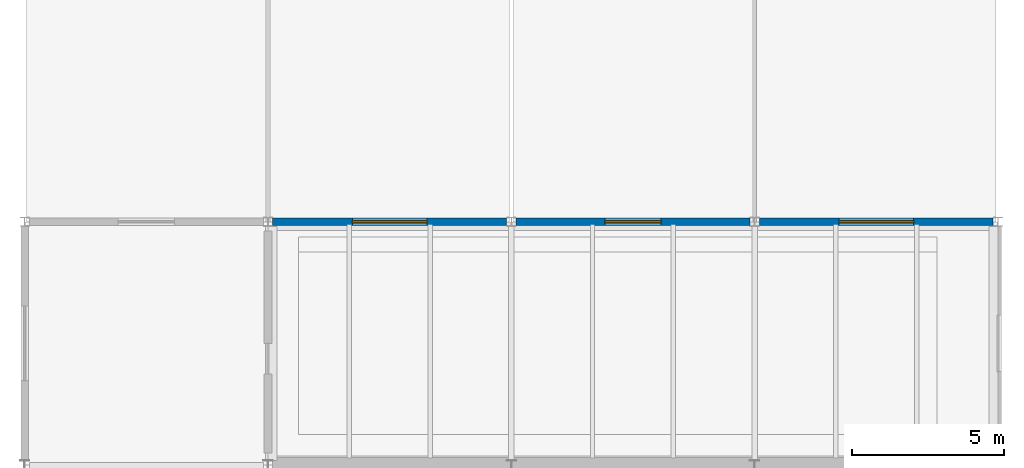
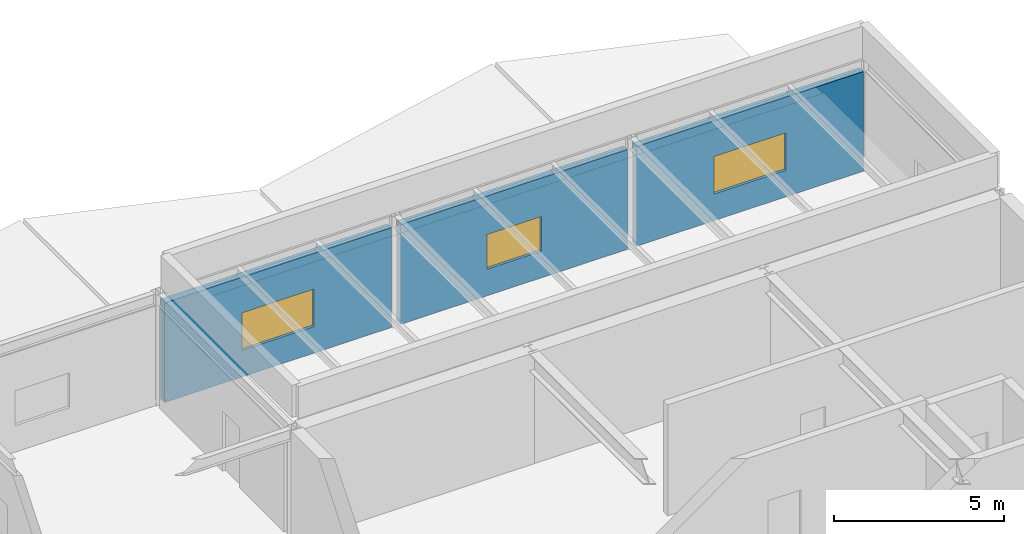
# One storey, part 6 of 7: 3 walls, 3 windows, 3 openings.
"""IFC4 building model written with IfcOpenShell, lengths in metres."""

from ifc_helpers import new_model, si_unit, direction, frame, frame_2d, origin, place, context, subcontext, project, spatial, rectangle, extrude, material, layer, layer_set, type_object, element, fill, save


model = new_model("IFC4")

# Units and contexts
model_context = context("Model", 3, precision=1e-05, world=origin(), true_north=direction((0.0, 1.0)))
body_context = subcontext(model_context, "Body", "Model", "MODEL_VIEW")
ifc_project = project(units=[si_unit("LENGTHUNIT", "METRE"), si_unit("AREAUNIT", "SQUARE_METRE"), si_unit("VOLUMEUNIT", "CUBIC_METRE"), si_unit("PLANEANGLEUNIT", "RADIAN"), si_unit("MASSUNIT", "GRAM", prefix="KILO")], contexts=[model_context])

# Site, building, storey
site_placement = place(None, origin())
site = spatial("IfcSite", under=ifc_project, at=site_placement, CompositionType="ELEMENT")
building_placement = place(site_placement, origin())
building = spatial("IfcBuilding", under=site, at=building_placement, Name="Varnela Railside Interchange", CompositionType="ELEMENT")
storey_placement = place(building_placement, frame((0.0, 0.0, 36.39990234375)))
storey = spatial("IfcBuildingStorey", under=building, at=storey_placement, Name="L08", CompositionType="ELEMENT", Elevation=36.39990234375)

# Wall, opening, window
ifc_material_1 = material(Name="Concrete C40 precast", Category="concrete")
ifc_layer = layer(ifc_material_1, 0.239990234375)
ifc_layer_set = layer_set([ifc_layer], Name="Concrete C40 precast")
wall_type = type_object("IfcWallType", Name="Plant Louvre Screen Wall EW-05", PredefinedType="STANDARD", material=ifc_layer_set)
wall_1_placement = place(storey_placement, frame((12.154052734375, 78.0, 0.0), z_axis=(0.0, 0.0, 1.0), x_axis=(1.0, 0.0, 0.0)))
wall_1 = element("IfcWall", 1, at=wall_1_placement, inside=storey, type_object=wall_type, Name="Plant Louvre Screen Wall EW-05 (L08) (WL-1089)", PredefinedType="STANDARD", context=body_context, shape_type="SweptSolid", body=[
    extrude(rectangle(XDim=7.69189453125, YDim=0.239990234375, at=frame_2d((3.845947265625, 0.0))), origin(), (0.0, 0.0, 1.0), 3.572998046875),
])
opening_1_placement = place(wall_1_placement, frame((2.62109375, 0.0, 0.949951171875)))
opening_1 = element("IfcOpeningElement", 2, at=opening_1_placement, cuts=wall_1, Name="Opening W-164", PredefinedType="OPENING", context=body_context, shape_type="SweptSolid", body=[
    extrude(rectangle(XDim=2.449951171875, YDim=1.35009765625, at=frame_2d((1.22509765625, 0.675048828125))), frame((0.0, 0.1298828125, 0.0), z_axis=(0.0, -1.0, 0.0), x_axis=(1.0, 0.0, 0.0)), (0.0, 0.0, 1.0), 0.260009765625),
])
ifc_material_2 = material(Name="Aluminium 6063-T6", Category="aluminium")
window_type_1 = type_object("IfcWindowType", Name="Plant Acoustic Louvre Win WN-23", PartitioningType="SINGLE_PANEL", PredefinedType="WINDOW", material=ifc_material_2)
window_1_placement = place(opening_1_placement, origin())
window_1 = element("IfcWindow", 3, at=window_1_placement, inside=storey, type_object=window_type_1, Name="Window W-164", OverallHeight=1.35009765625, OverallWidth=2.449951171875, PartitioningType="SINGLE_PANEL", PredefinedType="WINDOW", context=body_context, shape_type="SweptSolid", body=[
    extrude(rectangle(XDim=2.449951171875, YDim=1.35009765625, at=frame_2d((1.22509765625, 0.675048828125))), frame((0.0, 0.030029296875, 0.0), z_axis=(0.0, -1.0, 0.0), x_axis=(1.0, 0.0, 0.0)), (0.0, 0.0, 1.0), 0.06005859375),
])
fill(opening_1, window_1)

wall_2_placement = place(storey_placement, frame((20.154052734375, 78.0, 0.0), z_axis=(0.0, 0.0, 1.0), x_axis=(1.0, 0.0, 0.0)))
wall_2 = element("IfcWall", 4, at=wall_2_placement, inside=storey, type_object=wall_type, Name="Plant Louvre Screen Wall EW-05 (L08) (WL-1090)", PredefinedType="STANDARD", context=body_context, shape_type="SweptSolid", body=[
    extrude(rectangle(XDim=7.69189453125, YDim=0.239990234375, at=frame_2d((3.845947265625, 0.0))), origin(), (0.0, 0.0, 1.0), 3.572998046875),
])
opening_2_placement = place(wall_2_placement, frame((2.9208984375, 0.0, 0.949951171875)))
opening_2 = element("IfcOpeningElement", 5, at=opening_2_placement, cuts=wall_2, Name="Opening W-165", PredefinedType="OPENING", context=body_context, shape_type="SweptSolid", body=[
    extrude(rectangle(XDim=1.85009765625, YDim=1.25, at=frame_2d((0.925048828125, 0.625))), frame((0.0, 0.1298828125, 0.0), z_axis=(0.0, -1.0, 0.0), x_axis=(1.0, 0.0, 0.0)), (0.0, 0.0, 1.0), 0.260009765625),
])
window_type_2 = type_object("IfcWindowType", Name="Smoke Extract Louvre Win WN-24", PartitioningType="SINGLE_PANEL", PredefinedType="WINDOW", material=ifc_material_2)
window_2_placement = place(opening_2_placement, origin())
window_2 = element("IfcWindow", 6, at=window_2_placement, inside=storey, type_object=window_type_2, Name="Window W-165", OverallHeight=1.25, OverallWidth=1.85009765625, PartitioningType="SINGLE_PANEL", PredefinedType="WINDOW", context=body_context, shape_type="SweptSolid", body=[
    extrude(rectangle(XDim=1.85009765625, YDim=1.25, at=frame_2d((0.925048828125, 0.625))), frame((0.0, 0.030029296875, 0.0), z_axis=(0.0, -1.0, 0.0), x_axis=(1.0, 0.0, 0.0)), (0.0, 0.0, 1.0), 0.06005859375),
])
fill(opening_2, window_2)

wall_3_placement = place(storey_placement, frame((28.154052734375, 78.0, 0.0), z_axis=(0.0, 0.0, 1.0), x_axis=(1.0, 0.0, 0.0)))
wall_3 = element("IfcWall", 7, at=wall_3_placement, inside=storey, type_object=wall_type, Name="Plant Louvre Screen Wall EW-05 (L08) (WL-1091)", PredefinedType="STANDARD", context=body_context, shape_type="SweptSolid", body=[
    extrude(rectangle(XDim=7.69189453125, YDim=0.239990234375, at=frame_2d((3.845947265625, 0.0))), origin(), (0.0, 0.0, 1.0), 3.572998046875),
])
opening_3_placement = place(wall_3_placement, frame((2.62109375, 0.0, 0.949951171875)))
opening_3 = element("IfcOpeningElement", 8, at=opening_3_placement, cuts=wall_3, Name="Opening W-166", PredefinedType="OPENING", context=body_context, shape_type="SweptSolid", body=[
    extrude(rectangle(XDim=2.449951171875, YDim=1.35009765625, at=frame_2d((1.22509765625, 0.675048828125))), frame((0.0, 0.1298828125, 0.0), z_axis=(0.0, -1.0, 0.0), x_axis=(1.0, 0.0, 0.0)), (0.0, 0.0, 1.0), 0.260009765625),
])
window_3_placement = place(opening_3_placement, origin())
window_3 = element("IfcWindow", 9, at=window_3_placement, inside=storey, type_object=window_type_1, Name="Window W-166", OverallHeight=1.35009765625, OverallWidth=2.449951171875, PartitioningType="SINGLE_PANEL", PredefinedType="WINDOW", context=body_context, shape_type="SweptSolid", body=[
    extrude(rectangle(XDim=2.449951171875, YDim=1.35009765625, at=frame_2d((1.22509765625, 0.675048828125))), frame((0.0, 0.030029296875, 0.0), z_axis=(0.0, -1.0, 0.0), x_axis=(1.0, 0.0, 0.0)), (0.0, 0.0, 1.0), 0.06005859375),
])
fill(opening_3, window_3)

save(model, "model.ifc")
